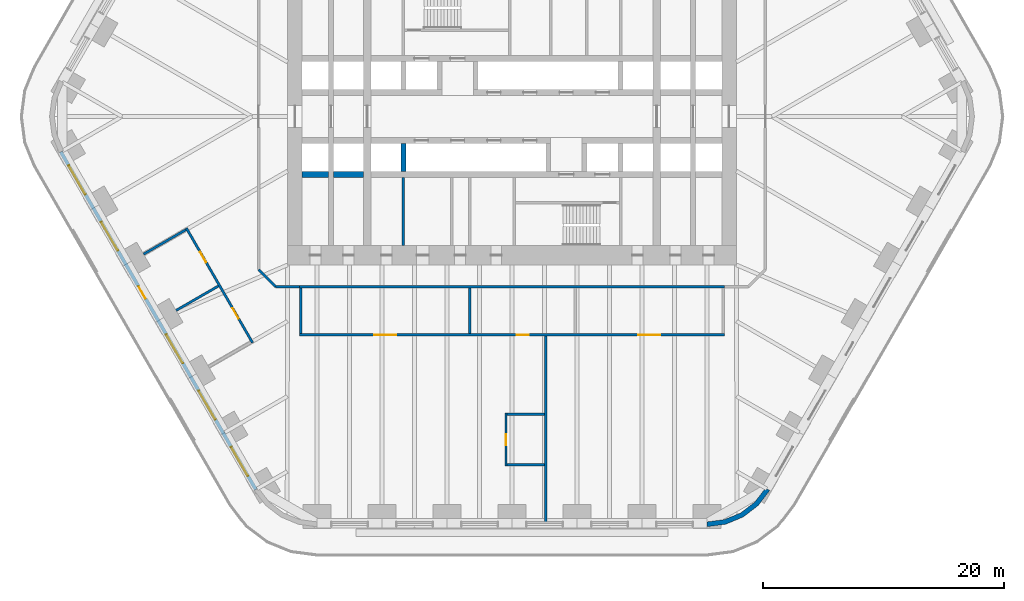
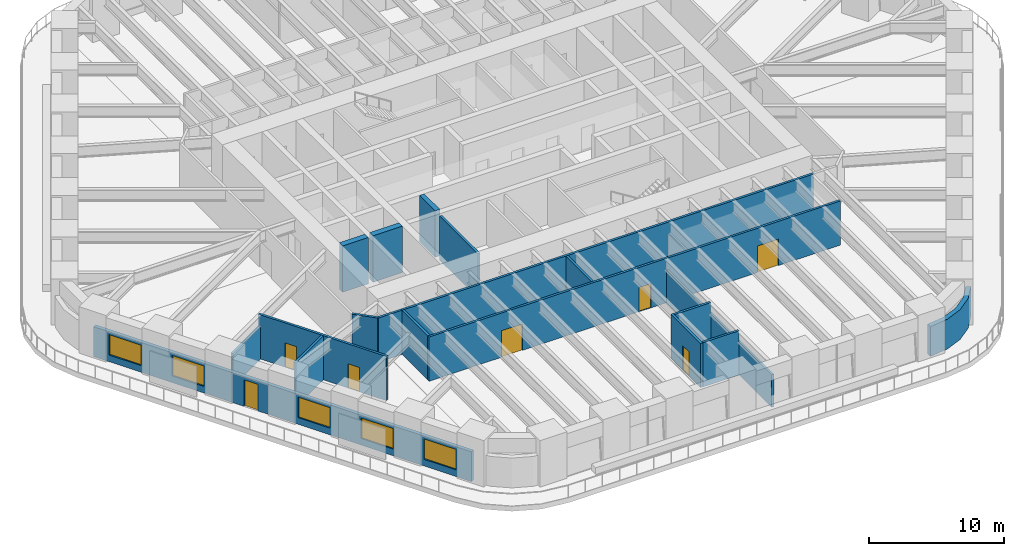
# One storey, part 16 of 23: 19 walls, 7 doors, 5 windows, 12 openings.
"""IFC4 building model written with IfcOpenShell, lengths in metres."""

from ifc_helpers import new_model, si_unit, direction, frame, frame_2d, origin, place, context, subcontext, project, spatial, polyline, rectangle, outline, extrude, material, layer, layer_set, type_object, element, fill, save


model = new_model("IFC4")

# Units and contexts
model_context = context("Model", 3, precision=1e-05, world=origin(), true_north=direction((0.0, 1.0)))
body_context = subcontext(model_context, "Body", "Model", "MODEL_VIEW")
ifc_project = project(units=[si_unit("LENGTHUNIT", "METRE"), si_unit("AREAUNIT", "SQUARE_METRE"), si_unit("VOLUMEUNIT", "CUBIC_METRE"), si_unit("PLANEANGLEUNIT", "RADIAN"), si_unit("MASSUNIT", "GRAM", prefix="KILO")], contexts=[model_context])

# Site, building, storey
site_placement = place(None, origin())
site = spatial("IfcSite", under=ifc_project, at=site_placement, CompositionType="ELEMENT")
building_placement = place(site_placement, origin())
building = spatial("IfcBuilding", under=site, at=building_placement, Name="Tarfa Lantern Tower", CompositionType="ELEMENT")
storey_placement = place(building_placement, frame((0.0, 0.0, 31.89990234375)))
storey = spatial("IfcBuildingStorey", under=building, at=storey_placement, Name="L06", CompositionType="ELEMENT", Elevation=31.89990234375)

# Wall, openings, door, windows
ifc_material_1 = material(Name="Limestone cladding on blockwork", Category="masonry")
ifc_layer_1 = layer(ifc_material_1, 0.300048828125)
ifc_layer_set_1 = layer_set([ifc_layer_1], Name="EW1 STONE-CLAD WALL 300")
wall_type_1 = type_object("IfcWallType", Name="EW1 STONE-CLAD WALL 300", PredefinedType="SOLIDWALL", material=ifc_layer_set_1)
wall_1_placement = place(storey_placement, frame((-37.39794921875, -2.925048828125, 0.0), z_axis=(0.0, 0.0, 1.0), x_axis=(0.499999163675, -0.866025886636, 0.0)))
wall_1 = element("IfcWall", 1, at=wall_1_placement, inside=storey, type_object=wall_type_1, Name="Stone wall SW", PredefinedType="SOLIDWALL", context=body_context, shape_type="SweptSolid", body=[
    extrude(rectangle(XDim=32.33154296875, YDim=0.300048828125, at=frame_2d((16.165771484375, 0.0))), origin(), (0.0, 0.0, 1.0), 2.7001953125),
])
opening_1_placement = place(wall_1_placement, frame((1.3193359375, 0.0, 0.60009765625)))
opening_1 = element("IfcOpeningElement", 2, at=opening_1_placement, cuts=wall_1, Name="Opening W2", PredefinedType="OPENING", context=body_context, shape_type="SweptSolid", body=[
    extrude(rectangle(XDim=2.75, YDim=1.85009765625, at=frame_2d((1.375, 0.925048828125))), frame((0.0, 0.159912109375, 0.0), z_axis=(0.0, -1.0, 0.0), x_axis=(1.0, 0.0, 0.0)), (0.0, 0.0, 1.0), 0.320068359375),
])
opening_2_placement = place(wall_1_placement, frame((6.7080078125, 0.0, 0.60009765625)))
opening_2 = element("IfcOpeningElement", 3, at=opening_2_placement, cuts=wall_1, Name="Opening W2", PredefinedType="OPENING", context=body_context, shape_type="SweptSolid", body=[
    extrude(rectangle(XDim=2.75, YDim=1.85009765625, at=frame_2d((1.375, 0.925048828125))), frame((0.0, 0.159912109375, 0.0), z_axis=(0.0, -1.0, 0.0), x_axis=(1.0, 0.0, 0.0)), (0.0, 0.0, 1.0), 0.320068359375),
])
opening_3_placement = place(wall_1_placement, frame((12.87158203125, 0.0, 0.0)))
opening_3 = element("IfcOpeningElement", 4, at=opening_3_placement, cuts=wall_1, Name="Opening D43", PredefinedType="OPENING", context=body_context, shape_type="SweptSolid", body=[
    extrude(rectangle(XDim=1.199951171875, YDim=2.39990234375, at=frame_2d((0.60009765625, 1.199951171875))), frame((0.0, 0.159912109375, 0.0), z_axis=(0.0, -1.0, 0.0), x_axis=(1.0, 0.0, 0.0)), (0.0, 0.0, 1.0), 0.320068359375),
])
opening_4_placement = place(wall_1_placement, frame((17.485107421875, 0.0, 0.60009765625)))
opening_4 = element("IfcOpeningElement", 5, at=opening_4_placement, cuts=wall_1, Name="Opening W2", PredefinedType="OPENING", context=body_context, shape_type="SweptSolid", body=[
    extrude(rectangle(XDim=2.75, YDim=1.85009765625, at=frame_2d((1.375, 0.925048828125))), frame((0.0, 0.159912109375, 0.0), z_axis=(0.0, -1.0, 0.0), x_axis=(1.0, 0.0, 0.0)), (0.0, 0.0, 1.0), 0.320068359375),
])
opening_5_placement = place(wall_1_placement, frame((22.873779296875, 0.0, 0.60009765625)))
opening_5 = element("IfcOpeningElement", 6, at=opening_5_placement, cuts=wall_1, Name="Opening W2", PredefinedType="OPENING", context=body_context, shape_type="SweptSolid", body=[
    extrude(rectangle(XDim=2.75, YDim=1.85009765625, at=frame_2d((1.375, 0.925048828125))), frame((0.0, 0.159912109375, 0.0), z_axis=(0.0, -1.0, 0.0), x_axis=(1.0, 0.0, 0.0)), (0.0, 0.0, 1.0), 0.320068359375),
])
opening_6_placement = place(wall_1_placement, frame((28.26220703125, 0.0, 0.60009765625)))
opening_6 = element("IfcOpeningElement", 7, at=opening_6_placement, cuts=wall_1, Name="Opening W2", PredefinedType="OPENING", context=body_context, shape_type="SweptSolid", body=[
    extrude(rectangle(XDim=2.75, YDim=1.85009765625, at=frame_2d((1.375, 0.925048828125))), frame((0.0, 0.159912109375, 0.0), z_axis=(0.0, -1.0, 0.0), x_axis=(1.0, 0.0, 0.0)), (0.0, 0.0, 1.0), 0.320068359375),
])
ifc_material_2 = material(Name="Aluminium framed glazed door", Category="aluminium")
door_type_1 = type_object("IfcDoorType", Name="BE3 BALCONY DOOR 1200x2400", OperationType="SINGLE_SWING_RIGHT", PredefinedType="DOOR", material=ifc_material_2)
door_1_placement = place(opening_3_placement, origin())
door_1 = element("IfcDoor", 8, at=door_1_placement, inside=storey, type_object=door_type_1, Name="Balcony door SW", OperationType="SINGLE_SWING_RIGHT", OverallHeight=2.39990234375, OverallWidth=1.199951171875, PredefinedType="DOOR", context=body_context, shape_type="SweptSolid", body=[
    extrude(rectangle(XDim=1.199951171875, YDim=2.39990234375, at=frame_2d((0.60009765625, 1.199951171875))), frame((0.0, 0.02490234375, 0.0), z_axis=(0.0, -1.0, 0.0), x_axis=(1.0, 0.0, 0.0)), (0.0, 0.0, 1.0), 0.050048828125),
])
fill(opening_3, door_1)
ifc_material_3 = material(Name="Aluminium frame, double glazed", Category="aluminium")
window_type = type_object("IfcWindowType", Name="W2 FULL-HEIGHT GLAZING 2750x1850", PartitioningType="SINGLE_PANEL", PredefinedType="WINDOW", material=ifc_material_3)
window_1_placement = place(opening_1_placement, origin())
window_1 = element("IfcWindow", 9, at=window_1_placement, inside=storey, type_object=window_type, Name="Window SW 1", OverallHeight=1.85009765625, OverallWidth=2.75, PartitioningType="SINGLE_PANEL", PredefinedType="WINDOW", context=body_context, shape_type="SweptSolid", body=[
    extrude(rectangle(XDim=2.75, YDim=1.85009765625, at=frame_2d((1.375, 0.925048828125))), frame((0.0, 0.030029296875, 0.0), z_axis=(0.0, -1.0, 0.0), x_axis=(1.0, 0.0, 0.0)), (0.0, 0.0, 1.0), 0.06005859375),
])
fill(opening_1, window_1)
window_2_placement = place(opening_2_placement, origin())
window_2 = element("IfcWindow", 10, at=window_2_placement, inside=storey, type_object=window_type, Name="Window SW 2", OverallHeight=1.85009765625, OverallWidth=2.75, PartitioningType="SINGLE_PANEL", PredefinedType="WINDOW", context=body_context, shape_type="SweptSolid", body=[
    extrude(rectangle(XDim=2.75, YDim=1.85009765625, at=frame_2d((1.375, 0.925048828125))), frame((0.0, 0.030029296875, 0.0), z_axis=(0.0, -1.0, 0.0), x_axis=(1.0, 0.0, 0.0)), (0.0, 0.0, 1.0), 0.06005859375),
])
fill(opening_2, window_2)
window_3_placement = place(opening_4_placement, origin())
window_3 = element("IfcWindow", 11, at=window_3_placement, inside=storey, type_object=window_type, Name="Window SW 4", OverallHeight=1.85009765625, OverallWidth=2.75, PartitioningType="SINGLE_PANEL", PredefinedType="WINDOW", context=body_context, shape_type="SweptSolid", body=[
    extrude(rectangle(XDim=2.75, YDim=1.85009765625, at=frame_2d((1.375, 0.925048828125))), frame((0.0, 0.030029296875, 0.0), z_axis=(0.0, -1.0, 0.0), x_axis=(1.0, 0.0, 0.0)), (0.0, 0.0, 1.0), 0.06005859375),
])
fill(opening_4, window_3)
window_4_placement = place(opening_5_placement, origin())
window_4 = element("IfcWindow", 12, at=window_4_placement, inside=storey, type_object=window_type, Name="Window SW 5", OverallHeight=1.85009765625, OverallWidth=2.75, PartitioningType="SINGLE_PANEL", PredefinedType="WINDOW", context=body_context, shape_type="SweptSolid", body=[
    extrude(rectangle(XDim=2.75, YDim=1.85009765625, at=frame_2d((1.375, 0.925048828125))), frame((0.0, 0.030029296875, 0.0), z_axis=(0.0, -1.0, 0.0), x_axis=(1.0, 0.0, 0.0)), (0.0, 0.0, 1.0), 0.06005859375),
])
fill(opening_5, window_4)
window_5_placement = place(opening_6_placement, origin())
window_5 = element("IfcWindow", 13, at=window_5_placement, inside=storey, type_object=window_type, Name="Window SW 6", OverallHeight=1.85009765625, OverallWidth=2.75, PartitioningType="SINGLE_PANEL", PredefinedType="WINDOW", context=body_context, shape_type="SweptSolid", body=[
    extrude(rectangle(XDim=2.75, YDim=1.85009765625, at=frame_2d((1.375, 0.925048828125))), frame((0.0, 0.030029296875, 0.0), z_axis=(0.0, -1.0, 0.0), x_axis=(1.0, 0.0, 0.0)), (0.0, 0.0, 1.0), 0.06005859375),
])
fill(opening_6, window_5)

# Walls
ifc_layer_2 = layer(ifc_material_1, 0.39990234375)
ifc_layer_set_2 = layer_set([ifc_layer_2], Name="EW2 CURVED STONE CORNER 400")
wall_type_2 = type_object("IfcWallType", Name="EW2 CURVED STONE CORNER 400", PredefinedType="SOLIDWALL", material=ifc_layer_set_2)
wall_2_placement = place(storey_placement, origin())
element("IfcWall", 14, at=wall_2_placement, inside=storey, type_object=wall_type_2, Name="Stone corner S-SE", PredefinedType="SOLIDWALL", context=body_context, shape_type="SweptSolid", body=[
    extrude(outline(polyline([(16.165771484375, -34.0), (17.71875, -33.795654296875), (19.165771484375, -33.196044921875), (20.408447265625, -32.24267578125), (21.362060546875, -31.0), (21.015625, -30.800048828125), (20.12548828125, -31.959716796875), (18.9658203125, -32.849853515625), (17.615234375, -33.4091796875), (16.165771484375, -33.60009765625), (16.165771484375, -34.0)])), origin(), (0.0, 0.0, 1.0), 2.7001953125),
])
ifc_material_4 = material(Name="Concrete blockwork", Category="masonry")
ifc_layer_3 = layer(ifc_material_4, 0.199951171875)
ifc_layer_set_3 = layer_set([ifc_layer_3], Name="IW1 BLOCKWORK PARTITION 200 EI 120")
wall_type_3 = type_object("IfcWallType", Name="IW1 BLOCKWORK PARTITION 200 EI 120", PredefinedType="PARTITIONING", material=ifc_layer_set_3)
wall_3_placement = place(storey_placement, frame((-9.0, -5.050048828125, 0.0), z_axis=(0.0, 0.0, 1.0), x_axis=(0.0, -1.0, 0.0)))
element("IfcWall", 15, at=wall_3_placement, inside=storey, type_object=wall_type_3, Name="Core partition", PredefinedType="PARTITIONING", context=body_context, shape_type="SweptSolid", body=[
    extrude(rectangle(XDim=5.64990234375, YDim=0.199951171875, at=frame_2d((2.824951171875, 0.0))), origin(), (0.0, 0.0, 1.0), 4.0),
])
ifc_material_5 = material(Name="Gypsum board on steel studs", Category="steel")
ifc_layer_4 = layer(ifc_material_5, 0.2099609375)
ifc_layer_set_4 = layer_set([ifc_layer_4], Name="IW2 ACOUSTIC PARTITION 200")
wall_type_4 = type_object("IfcWallType", Name="IW2 ACOUSTIC PARTITION 200", PredefinedType="PARTITIONING", material=ifc_layer_set_4)
wall_4_placement = place(storey_placement, frame((17.60009765625, -14.10009765625, 0.0), z_axis=(0.0, 0.0, 1.0), x_axis=(-1.0, 0.0, 0.0)))
element("IfcWall", 16, at=wall_4_placement, inside=storey, type_object=wall_type_4, Name="Partition", PredefinedType="PARTITIONING", context=body_context, shape_type="SweptSolid", body=[
    extrude(rectangle(XDim=35.2001953125, YDim=0.199951171875, at=frame_2d((17.60009765625, 0.0))), origin(), (0.0, 0.0, 1.0), 4.0),
])

# Wall, openings, doors
wall_5_placement = place(storey_placement, frame((17.60009765625, -18.10009765625, 0.0), z_axis=(0.0, 0.0, 1.0), x_axis=(-1.0, 0.0, 0.0)))
wall_5 = element("IfcWall", 17, at=wall_5_placement, inside=storey, type_object=wall_type_4, Name="Partition", PredefinedType="PARTITIONING", context=body_context, shape_type="SweptSolid", body=[
    extrude(rectangle(XDim=35.2001953125, YDim=0.199951171875, at=frame_2d((17.60009765625, 0.0))), origin(), (0.0, 0.0, 1.0), 4.0),
])
opening_7_placement = place(wall_5_placement, frame((5.324951171875, 0.0, 0.0)))
opening_7 = element("IfcOpeningElement", 18, at=opening_7_placement, cuts=wall_5, Name="Opening D34", PredefinedType="OPENING", context=body_context, shape_type="SweptSolid", body=[
    extrude(rectangle(XDim=1.800048828125, YDim=2.39990234375, at=frame_2d((0.89990234375, 1.199951171875))), frame((0.0, 0.10986328125, 0.0), z_axis=(0.0, -1.0, 0.0), x_axis=(1.0, 0.0, 0.0)), (0.0, 0.0, 1.0), 0.219970703125),
])
opening_8_placement = place(wall_5_placement, frame((16.22509765625, 0.0, 0.0)))
opening_8 = element("IfcOpeningElement", 19, at=opening_8_placement, cuts=wall_5, Name="Opening D35", PredefinedType="OPENING", context=body_context, shape_type="SweptSolid", body=[
    extrude(rectangle(XDim=1.0, YDim=2.199951171875, at=frame_2d((0.5, 1.10009765625))), frame((0.0, 0.10986328125, 0.0), z_axis=(0.0, -1.0, 0.0), x_axis=(1.0, 0.0, 0.0)), (0.0, 0.0, 1.0), 0.219970703125),
])
opening_9_placement = place(wall_5_placement, frame((27.199951171875, 0.0, 0.0)))
opening_9 = element("IfcOpeningElement", 20, at=opening_9_placement, cuts=wall_5, Name="Opening D36", PredefinedType="OPENING", context=body_context, shape_type="SweptSolid", body=[
    extrude(rectangle(XDim=1.800048828125, YDim=2.39990234375, at=frame_2d((0.89990234375, 1.199951171875))), frame((0.0, 0.10986328125, 0.0), z_axis=(0.0, -1.0, 0.0), x_axis=(1.0, 0.0, 0.0)), (0.0, 0.0, 1.0), 0.219970703125),
])
ifc_material_6 = material(Name="Timber door", Category="wood")
door_type_2 = type_object("IfcDoorType", Name="DR1 ROOM DOOR 1000x2200", OperationType="SINGLE_SWING_LEFT", PredefinedType="DOOR", material=ifc_material_6)
door_2_placement = place(opening_8_placement, frame((1.0, 0.0, 0.0), z_axis=(0.0, 0.0, 1.0), x_axis=(-1.0, 0.0, 0.0)))
door_2 = element("IfcDoor", 21, at=door_2_placement, inside=storey, type_object=door_type_2, Name="Print room door", OperationType="SINGLE_SWING_LEFT", OverallHeight=2.199951171875, OverallWidth=1.0, PredefinedType="DOOR", context=body_context, shape_type="SweptSolid", body=[
    extrude(rectangle(XDim=1.0, YDim=2.199951171875, at=frame_2d((0.5, 1.10009765625))), frame((0.0, 0.02490234375, 0.0), z_axis=(0.0, -1.0, 0.0), x_axis=(1.0, 0.0, 0.0)), (0.0, 0.0, 1.0), 0.050048828125),
])
fill(opening_8, door_2)
door_type_3 = type_object("IfcDoorType", Name="DR2 ROOM DOOR 1800x2400", OperationType="DOUBLE_DOOR_SINGLE_SWING", PredefinedType="DOOR", material=ifc_material_6)
door_3_placement = place(opening_7_placement, frame((1.800048828125, 0.0, 0.0), z_axis=(0.0, 0.0, 1.0), x_axis=(-1.0, 0.0, 0.0)))
door_3 = element("IfcDoor", 22, at=door_3_placement, inside=storey, type_object=door_type_3, Name="Quiet room door", OperationType="DOUBLE_DOOR_SINGLE_SWING", OverallHeight=2.39990234375, OverallWidth=1.800048828125, PredefinedType="DOOR", context=body_context, shape_type="SweptSolid", body=[
    extrude(rectangle(XDim=1.800048828125, YDim=2.39990234375, at=frame_2d((0.89990234375, 1.199951171875))), frame((0.0, 0.02490234375, 0.0), z_axis=(0.0, -1.0, 0.0), x_axis=(1.0, 0.0, 0.0)), (0.0, 0.0, 1.0), 0.050048828125),
])
fill(opening_7, door_3)
door_4_placement = place(opening_9_placement, frame((1.800048828125, 0.0, 0.0), z_axis=(0.0, 0.0, 1.0), x_axis=(-1.0, 0.0, 0.0)))
door_4 = element("IfcDoor", 23, at=door_4_placement, inside=storey, type_object=door_type_3, Name="Pantry door", OperationType="DOUBLE_DOOR_SINGLE_SWING", OverallHeight=2.39990234375, OverallWidth=1.800048828125, PredefinedType="DOOR", context=body_context, shape_type="SweptSolid", body=[
    extrude(rectangle(XDim=1.800048828125, YDim=2.39990234375, at=frame_2d((0.89990234375, 1.199951171875))), frame((0.0, 0.02490234375, 0.0), z_axis=(0.0, -1.0, 0.0), x_axis=(1.0, 0.0, 0.0)), (0.0, 0.0, 1.0), 0.050048828125),
])
fill(opening_9, door_4)

# Walls
for number, where, z_axis, x_axis, name in (
    (24, (-3.5, -14.199951171875, 0.0), (0.0, 0.0, 1.0), (0.0, -1.0, 0.0), "Partition"),
    (25, (-17.5, -14.199951171875, 0.0), (0.0, 0.0, 1.0), (0.0, -1.0, 0.0), "Partition"),
):
    element("IfcWall", number, at=place(storey_placement, frame(where, z_axis=z_axis, x_axis=x_axis)), inside=storey, type_object=wall_type_4, Name=name, PredefinedType="PARTITIONING", context=body_context, shape_type="SweptSolid", body=[
        extrude(rectangle(XDim=3.800048828125, YDim=0.199951171875, at=frame_2d((1.89990234375, 0.0))), origin(), (0.0, 0.0, 1.0), 4.0),
    ])

# Wall, openings, doors
wall_6_placement = place(storey_placement, frame((-26.992919921875, -9.246826171875, 0.0), z_axis=(0.0, 0.0, 1.0), x_axis=(0.500002255551, -0.866024101537, 0.0)))
wall_6 = element("IfcWall", 26, at=wall_6_placement, inside=storey, type_object=wall_type_4, Name="Partition", PredefinedType="PARTITIONING", context=body_context, shape_type="SweptSolid", body=[
    extrude(rectangle(XDim=10.97705078125, YDim=0.199951171875, at=frame_2d((5.488525390625, 0.0))), origin(), (0.0, 0.0, 1.0), 4.0),
])
opening_10_placement = place(wall_6_placement, frame((2.294189453125, 0.0, 0.0)))
opening_10 = element("IfcOpeningElement", 27, at=opening_10_placement, cuts=wall_6, Name="Opening D30", PredefinedType="OPENING", context=body_context, shape_type="SweptSolid", body=[
    extrude(rectangle(XDim=1.0, YDim=2.199951171875, at=frame_2d((0.5, 1.10009765625))), frame((0.0, 0.10986328125, 0.0), z_axis=(0.0, -1.0, 0.0), x_axis=(1.0, 0.0, 0.0)), (0.0, 0.0, 1.0), 0.219970703125),
])
opening_11_placement = place(wall_6_placement, frame((7.682861328125, 0.0, 0.0)))
opening_11 = element("IfcOpeningElement", 28, at=opening_11_placement, cuts=wall_6, Name="Opening D31", PredefinedType="OPENING", context=body_context, shape_type="SweptSolid", body=[
    extrude(rectangle(XDim=1.0, YDim=2.199951171875, at=frame_2d((0.5, 1.10009765625))), frame((0.0, 0.10986328125, 0.0), z_axis=(0.0, -1.0, 0.0), x_axis=(1.0, 0.0, 0.0)), (0.0, 0.0, 1.0), 0.219970703125),
])
door_5_placement = place(opening_10_placement, frame((1.0, 0.0, 0.0), z_axis=(0.0, 0.0, 1.0), x_axis=(-1.0, 0.0, 0.0)))
door_5 = element("IfcDoor", 29, at=door_5_placement, inside=storey, type_object=door_type_2, Name="Communications room door", OperationType="SINGLE_SWING_LEFT", OverallHeight=2.199951171875, OverallWidth=1.0, PredefinedType="DOOR", context=body_context, shape_type="SweptSolid", body=[
    extrude(rectangle(XDim=1.0, YDim=2.199951171875, at=frame_2d((0.5, 1.10009765625))), frame((0.0, 0.02490234375, 0.0), z_axis=(0.0, -1.0, 0.0), x_axis=(1.0, 0.0, 0.0)), (0.0, 0.0, 1.0), 0.050048828125),
])
fill(opening_10, door_5)
door_6_placement = place(opening_11_placement, frame((1.0, 0.0, 0.0), z_axis=(0.0, 0.0, 1.0), x_axis=(-1.0, 0.0, 0.0)))
door_6 = element("IfcDoor", 30, at=door_6_placement, inside=storey, type_object=door_type_2, Name="Equipment room door", OperationType="SINGLE_SWING_RIGHT", OverallHeight=2.199951171875, OverallWidth=1.0, PredefinedType="DOOR", context=body_context, shape_type="SweptSolid", body=[
    extrude(rectangle(XDim=1.0, YDim=2.199951171875, at=frame_2d((0.5, 1.10009765625))), frame((0.0, 0.02490234375, 0.0), z_axis=(0.0, -1.0, 0.0), x_axis=(1.0, 0.0, 0.0)), (0.0, 0.0, 1.0), 0.050048828125),
])
fill(opening_11, door_6)

# Walls
wall_7_placement = place(storey_placement, frame((-27.029541015625, -9.38330078125, 0.0), z_axis=(0.0, 0.0, 1.0), x_axis=(-0.866019956843, -0.50000943426, 0.0)))
element("IfcWall", 31, at=wall_7_placement, inside=storey, type_object=wall_type_4, Name="Partition", PredefinedType="PARTITIONING", context=body_context, shape_type="SweptSolid", body=[
    extrude(rectangle(XDim=4.05029296875, YDim=0.199951171875, at=frame_2d((2.025146484375, 0.0))), origin(), (0.0, 0.0, 1.0), 2.944091796875),
])
wall_8_placement = place(storey_placement, frame((-24.335205078125, -14.050048828125, 0.0), z_axis=(0.0, 0.0, 1.0), x_axis=(-0.866046058097, -0.499964223975, 0.0)))
element("IfcWall", 32, at=wall_8_placement, inside=storey, type_object=wall_type_4, Name="Partition", PredefinedType="PARTITIONING", context=body_context, shape_type="SweptSolid", body=[
    extrude(rectangle(XDim=4.050048828125, YDim=0.199951171875, at=frame_2d((2.02490234375, 0.0))), origin(), (0.0, 0.0, 1.0), 4.0),
])
wall_9_placement = place(storey_placement, frame((-17.60009765625, -14.10009765625, 0.0), z_axis=(0.0, 0.0, 1.0), x_axis=(-1.0, 0.0, 0.0)))
element("IfcWall", 33, at=wall_9_placement, inside=storey, type_object=wall_type_4, Name="Partition", PredefinedType="PARTITIONING", context=body_context, shape_type="SweptSolid", body=[
    extrude(rectangle(XDim=2.0, YDim=0.199951171875, at=frame_2d((1.0, 0.0))), origin(), (0.0, 0.0, 1.0), 4.0),
])
wall_10_placement = place(storey_placement, frame((-19.60009765625, -14.10009765625, 0.0), z_axis=(0.0, 0.0, 1.0), x_axis=(-0.707045124756, 0.707168432242, 0.0)))
element("IfcWall", 34, at=wall_10_placement, inside=storey, type_object=wall_type_4, Name="Partition", PredefinedType="PARTITIONING", context=body_context, shape_type="SweptSolid", body=[
    extrude(rectangle(XDim=1.97998046875, YDim=0.199951171875, at=frame_2d((0.989990234375, 0.0))), origin(), (0.0, 0.0, 1.0), 4.0),
])
wall_11_placement = place(storey_placement, frame((2.800048828125, -18.199951171875, 0.0), z_axis=(0.0, 0.0, 1.0), x_axis=(0.0, -1.0, 0.0)))
element("IfcWall", 35, at=wall_11_placement, inside=storey, type_object=wall_type_4, Name="Partition", PredefinedType="PARTITIONING", context=body_context, shape_type="SweptSolid", body=[
    extrude(rectangle(XDim=15.60009765625, YDim=0.199951171875, at=frame_2d((7.800048828125, 0.0))), origin(), (0.0, 0.0, 1.0), 2.944091796875),
])

# Wall, opening, door
wall_12_placement = place(storey_placement, frame((-0.5, -24.580078125, 0.0), z_axis=(0.0, 0.0, 1.0), x_axis=(0.0, -1.0, 0.0)))
wall_12 = element("IfcWall", 36, at=wall_12_placement, inside=storey, type_object=wall_type_4, Name="Partition", PredefinedType="PARTITIONING", context=body_context, shape_type="SweptSolid", body=[
    extrude(rectangle(XDim=4.39990234375, YDim=0.199951171875, at=frame_2d((2.199951171875, 0.0))), origin(), (0.0, 0.0, 1.0), 4.0),
])
opening_12_placement = place(wall_12_placement, frame((1.75, 0.0, 0.0)))
opening_12 = element("IfcOpeningElement", 37, at=opening_12_placement, cuts=wall_12, Name="Opening D37", PredefinedType="OPENING", context=body_context, shape_type="SweptSolid", body=[
    extrude(rectangle(XDim=0.89990234375, YDim=2.199951171875, at=frame_2d((0.449951171875, 1.10009765625))), frame((0.0, 0.10986328125, 0.0), z_axis=(0.0, -1.0, 0.0), x_axis=(1.0, 0.0, 0.0)), (0.0, 0.0, 1.0), 0.219970703125),
])
door_type_4 = type_object("IfcDoorType", Name="DR3 ROOM DOOR 900x2200", OperationType="SINGLE_SWING_LEFT", PredefinedType="DOOR", material=ifc_material_6)
door_7_placement = place(opening_12_placement, origin())
door_7 = element("IfcDoor", 38, at=door_7_placement, inside=storey, type_object=door_type_4, Name="Breakout pantry door", OperationType="SINGLE_SWING_RIGHT", OverallHeight=2.199951171875, OverallWidth=0.89990234375, PredefinedType="DOOR", context=body_context, shape_type="SweptSolid", body=[
    extrude(rectangle(XDim=0.89990234375, YDim=2.199951171875, at=frame_2d((0.449951171875, 1.10009765625))), frame((0.0, 0.02490234375, 0.0), z_axis=(0.0, -1.0, 0.0), x_axis=(1.0, 0.0, 0.0)), (0.0, 0.0, 1.0), 0.050048828125),
])
fill(opening_12, door_7)

# Walls
for number, where, z_axis, x_axis, name in (
    (39, (2.699951171875, -24.679931640625, 0.0), (0.0, 0.0, 1.0), (-1.0, 0.0, 0.0), "Partition"),
    (40, (2.699951171875, -28.8798828125, 0.0), (0.0, 0.0, 1.0), (-1.0, 0.0, 0.0), "Partition"),
):
    element("IfcWall", number, at=place(storey_placement, frame(where, z_axis=z_axis, x_axis=x_axis)), inside=storey, type_object=wall_type_4, Name=name, PredefinedType="PARTITIONING", context=body_context, shape_type="SweptSolid", body=[
        extrude(rectangle(XDim=3.099853515625, YDim=0.199951171875, at=frame_2d((1.5498046875, 0.0))), origin(), (0.0, 0.0, 1.0), 4.0),
    ])
ifc_material_7 = material(Name="Concrete C80/95", Category="concrete")
ifc_layer_5 = layer(ifc_material_7, 0.5)
ifc_layer_set_5 = layer_set([ifc_layer_5], Name="SW5 CORE WALL 500")
wall_type_5 = type_object("IfcWallType", Name="SW5 CORE WALL 500", PredefinedType="SHEAR", material=ifc_layer_set_5)
wall_13_placement = place(storey_placement, frame((-12.300048828125, -4.800048828125, 0.0), z_axis=(0.0, 0.0, 1.0), x_axis=(-1.0, 0.0, 0.0)))
element("IfcWall", 41, at=wall_13_placement, inside=storey, type_object=wall_type_5, Name="Core wall rear S", PredefinedType="SHEAR", context=body_context, shape_type="SweptSolid", body=[
    extrude(rectangle(XDim=2.5, YDim=0.5, at=frame_2d((1.25, 0.0))), origin(), (0.0, 0.0, 1.0), 4.2001953125),
])
wall_14_placement = place(storey_placement, frame((-15.199951171875, -4.800048828125, 0.0), z_axis=(0.0, 0.0, 1.0), x_axis=(-1.0, 0.0, 0.0)))
element("IfcWall", 42, at=wall_14_placement, inside=storey, type_object=wall_type_5, Name="Core wall rear S", PredefinedType="SHEAR", context=body_context, shape_type="SweptSolid", body=[
    extrude(rectangle(XDim=2.199951171875, YDim=0.5, at=frame_2d((1.10009765625, 0.0))), origin(), (0.0, 0.0, 1.0), 4.2001953125),
])
ifc_layer_6 = layer(ifc_material_7, 0.39990234375)
ifc_layer_set_6 = layer_set([ifc_layer_6], Name="SW6 CORE WALL 400")
wall_type_6 = type_object("IfcWallType", Name="SW6 CORE WALL 400", PredefinedType="SHEAR", material=ifc_layer_set_6)
wall_15_placement = place(storey_placement, frame((-9.0, -2.25, 0.0), z_axis=(0.0, 0.0, 1.0), x_axis=(0.0, -1.0, 0.0)))
element("IfcWall", 43, at=wall_15_placement, inside=storey, type_object=wall_type_6, Name="Core wall divider S", PredefinedType="SHEAR", context=body_context, shape_type="SweptSolid", body=[
    extrude(rectangle(XDim=2.300048828125, YDim=0.39990234375, at=frame_2d((1.14990234375, 0.0))), origin(), (0.0, 0.0, 1.0), 4.2001953125),
])

save(model, "model.ifc")
